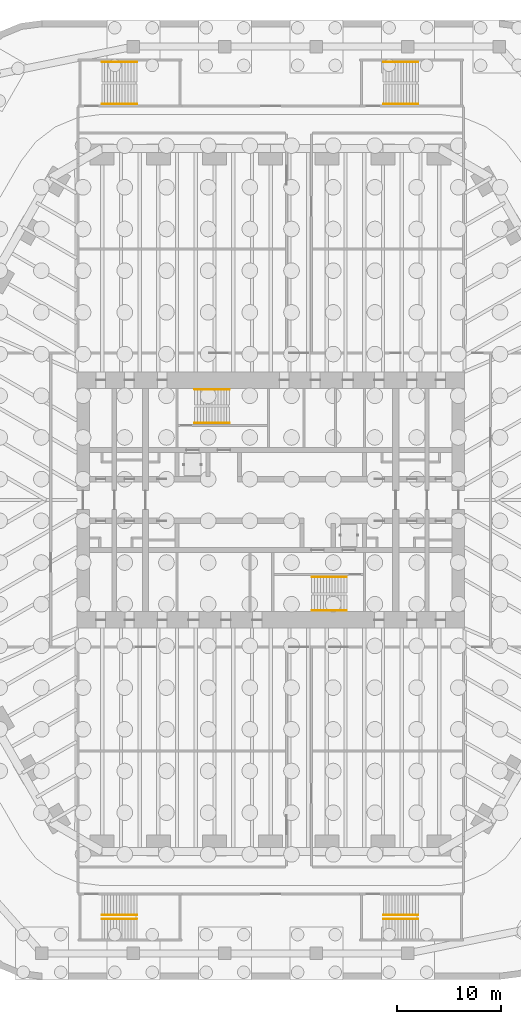
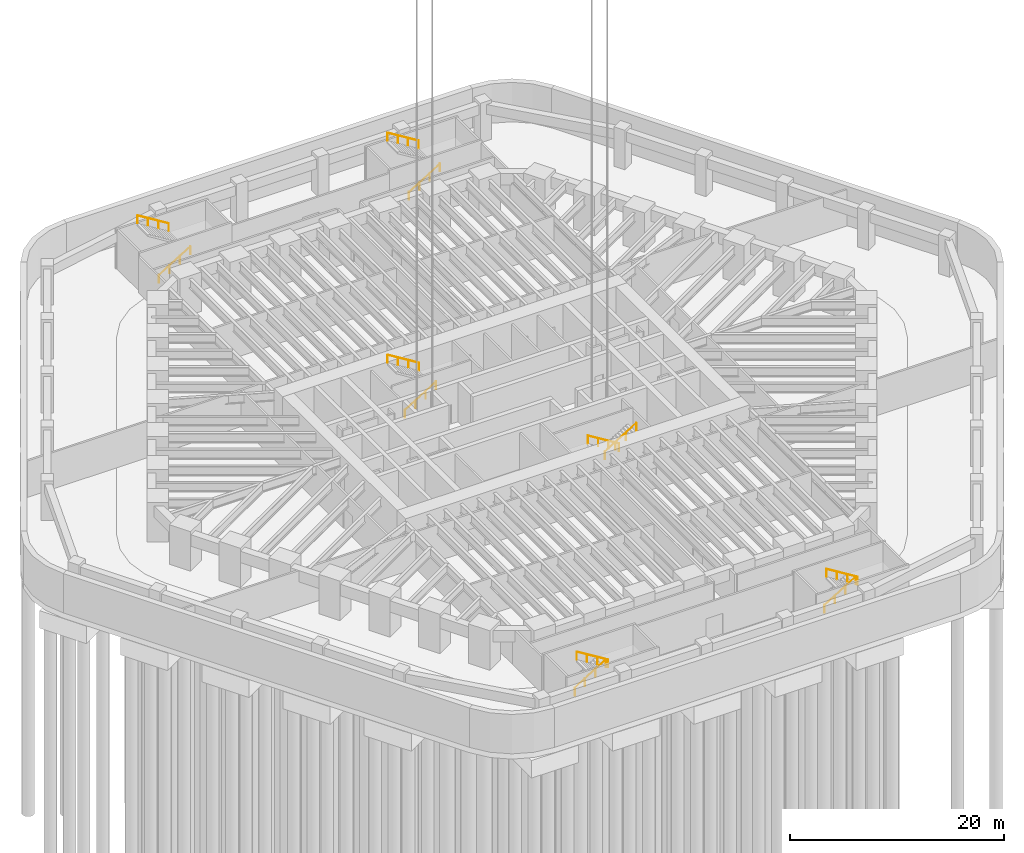
# One storey, part 14 of 17: 12 railings.
"""IFC4 building model written with IfcOpenShell, lengths in metres."""

from ifc_helpers import new_model, si_unit, direction, frame, origin, origin_2d, place, context, subcontext, project, spatial, circle, extrude, material, type_object, element, save


model = new_model("IFC4")

# Units and contexts
model_context = context("Model", 3, precision=1e-05, world=origin(), true_north=direction((0.0, 1.0)))
body_context = subcontext(model_context, "Body", "Model", "MODEL_VIEW")
ifc_project = project(units=[si_unit("LENGTHUNIT", "METRE"), si_unit("AREAUNIT", "SQUARE_METRE"), si_unit("VOLUMEUNIT", "CUBIC_METRE"), si_unit("PLANEANGLEUNIT", "RADIAN"), si_unit("MASSUNIT", "GRAM", prefix="KILO")], contexts=[model_context])

# Site, building, storey
site_placement = place(None, origin())
site = spatial("IfcSite", under=ifc_project, at=site_placement, CompositionType="ELEMENT")
building_placement = place(site_placement, origin())
building = spatial("IfcBuilding", under=site, at=building_placement, Name="Tarfa Lantern Tower", CompositionType="ELEMENT")
storey_placement = place(building_placement, frame((0.0, 0.0, -9.0)))
storey = spatial("IfcBuildingStorey", under=building, at=storey_placement, Name="B2", CompositionType="ELEMENT", Elevation=-9.0)

# Railings
ifc_material = material(Name="Stainless steel", Category="steel")
railing_type = type_object("IfcRailingType", Name="HR1 HANDRAIL 900", PredefinedType="HANDRAIL", material=ifc_material)
railing_1_placement = place(storey_placement, frame((-7.300048828125, 7.3798828125, 0.173095703125)))
element("IfcRailing", 1, at=railing_1_placement, inside=storey, type_object=railing_type, Name="Handrail 1", PredefinedType="HANDRAIL", context=body_context, shape_type="SweptSolid", body=[
    extrude(circle(Radius=0.02392578125, at=origin_2d()), frame((0.0, 0.0, 0.8759765625), z_axis=(0.850623216509, 0.0, 0.525775754039), x_axis=(0.0, 1.0, 0.0)), (0.0, 0.0, 1.0), 3.9501953125),
    extrude(circle(Radius=0.02099609375, at=origin_2d()), frame((0.0, 0.0, 0.0), z_axis=(0.0, 0.0, 1.0), x_axis=(0.0, 1.0, 0.0)), (0.0, 0.0, 1.0), 0.851806640625),
    extrude(circle(Radius=0.02099609375, at=origin_2d()), frame((1.1201171875, 0.0, 0.6923828125), z_axis=(0.0, 0.0, 1.0), x_axis=(0.0, 1.0, 0.0)), (0.0, 0.0, 1.0), 0.851806640625),
    extrude(circle(Radius=0.02099609375, at=origin_2d()), frame((2.239990234375, 0.0, 1.384521484375), z_axis=(0.0, 0.0, 1.0), x_axis=(0.0, 1.0, 0.0)), (0.0, 0.0, 1.0), 0.851806640625),
    extrude(circle(Radius=0.02099609375, at=origin_2d()), frame((3.360107421875, 0.0, 2.076904296875), z_axis=(0.0, 0.0, 1.0), x_axis=(0.0, 1.0, 0.0)), (0.0, 0.0, 1.0), 0.851806640625),
])
for number, where, name in (
    (2, (-3.93994140625, 10.6201171875, 2.423095703125), "Handrail 2"),
    (3, (7.300048828125, -7.3798828125, 0.173095703125), "Handrail 1"),
):
    element("IfcRailing", number, at=place(storey_placement, frame(where)), inside=storey, type_object=railing_type, Name=name, PredefinedType="HANDRAIL", context=body_context, shape_type="SweptSolid", body=[
        extrude(circle(Radius=0.02392578125, at=origin_2d()), frame((0.0, 0.0, 0.8759765625), z_axis=(-0.850623216509, 0.0, 0.525775754039), x_axis=(0.0, -1.0, 0.0)), (0.0, 0.0, 1.0), 3.9501953125),
        extrude(circle(Radius=0.02099609375, at=origin_2d()), frame((0.0, 0.0, 0.0), z_axis=(0.0, 0.0, 1.0), x_axis=(0.0, -1.0, 0.0)), (0.0, 0.0, 1.0), 0.851806640625),
        extrude(circle(Radius=0.02099609375, at=origin_2d()), frame((-1.1201171875, 0.0, 0.6923828125), z_axis=(0.0, 0.0, 1.0), x_axis=(0.0, -1.0, 0.0)), (0.0, 0.0, 1.0), 0.851806640625),
        extrude(circle(Radius=0.02099609375, at=origin_2d()), frame((-2.239990234375, 0.0, 1.384521484375), z_axis=(0.0, 0.0, 1.0), x_axis=(0.0, -1.0, 0.0)), (0.0, 0.0, 1.0), 0.851806640625),
        extrude(circle(Radius=0.02099609375, at=origin_2d()), frame((-3.360107421875, 0.0, 2.076904296875), z_axis=(0.0, 0.0, 1.0), x_axis=(0.0, -1.0, 0.0)), (0.0, 0.0, 1.0), 0.851806640625),
    ])
railing_2_placement = place(storey_placement, frame((3.93994140625, -10.6201171875, 2.423095703125)))
element("IfcRailing", 4, at=railing_2_placement, inside=storey, type_object=railing_type, Name="Handrail 2", PredefinedType="HANDRAIL", context=body_context, shape_type="SweptSolid", body=[
    extrude(circle(Radius=0.02392578125, at=origin_2d()), frame((0.0, 0.0, 0.8759765625), z_axis=(0.850623216509, 0.0, 0.525775754039), x_axis=(0.0, 1.0, 0.0)), (0.0, 0.0, 1.0), 3.9501953125),
    extrude(circle(Radius=0.02099609375, at=origin_2d()), frame((0.0, 0.0, 0.0), z_axis=(0.0, 0.0, 1.0), x_axis=(0.0, 1.0, 0.0)), (0.0, 0.0, 1.0), 0.851806640625),
    extrude(circle(Radius=0.02099609375, at=origin_2d()), frame((1.1201171875, 0.0, 0.6923828125), z_axis=(0.0, 0.0, 1.0), x_axis=(0.0, 1.0, 0.0)), (0.0, 0.0, 1.0), 0.851806640625),
    extrude(circle(Radius=0.02099609375, at=origin_2d()), frame((2.239990234375, 0.0, 1.384521484375), z_axis=(0.0, 0.0, 1.0), x_axis=(0.0, 1.0, 0.0)), (0.0, 0.0, 1.0), 0.851806640625),
    extrude(circle(Radius=0.02099609375, at=origin_2d()), frame((3.360107421875, 0.0, 2.076904296875), z_axis=(0.0, 0.0, 1.0), x_axis=(0.0, 1.0, 0.0)), (0.0, 0.0, 1.0), 0.851806640625),
])
railing_3_placement = place(storey_placement, frame((10.800048828125, 37.97998046875, 0.173095703125)))
element("IfcRailing", 5, at=railing_3_placement, inside=storey, type_object=railing_type, Name="Handrail 1", PredefinedType="HANDRAIL", context=body_context, shape_type="SweptSolid", body=[
    extrude(circle(Radius=0.02392578125, at=origin_2d()), frame((0.0, 0.0, 0.8759765625), z_axis=(0.850606129759, 0.0, 0.525803396734), x_axis=(0.0, 1.0, 0.0)), (0.0, 0.0, 1.0), 3.949951171875),
    extrude(circle(Radius=0.02099609375, at=origin_2d()), frame((0.0, 0.0, 0.0), z_axis=(0.0, 0.0, 1.0), x_axis=(0.0, 1.0, 0.0)), (0.0, 0.0, 1.0), 0.851806640625),
    extrude(circle(Radius=0.02099609375, at=origin_2d()), frame((1.119873046875, 0.0, 0.6923828125), z_axis=(0.0, 0.0, 1.0), x_axis=(0.0, 1.0, 0.0)), (0.0, 0.0, 1.0), 0.851806640625),
    extrude(circle(Radius=0.02099609375, at=origin_2d()), frame((2.239990234375, 0.0, 1.384521484375), z_axis=(0.0, 0.0, 1.0), x_axis=(0.0, 1.0, 0.0)), (0.0, 0.0, 1.0), 0.851806640625),
    extrude(circle(Radius=0.02099609375, at=origin_2d()), frame((3.35986328125, 0.0, 2.076904296875), z_axis=(0.0, 0.0, 1.0), x_axis=(0.0, 1.0, 0.0)), (0.0, 0.0, 1.0), 0.851806640625),
])
railing_4_placement = place(storey_placement, frame((14.159912109375, 42.02001953125, 2.423095703125)))
element("IfcRailing", 6, at=railing_4_placement, inside=storey, type_object=railing_type, Name="Handrail 2", PredefinedType="HANDRAIL", context=body_context, shape_type="SweptSolid", body=[
    extrude(circle(Radius=0.02392578125, at=origin_2d()), frame((0.0, 0.0, 0.8759765625), z_axis=(-0.850606129759, 0.0, 0.525803396734), x_axis=(0.0, -1.0, 0.0)), (0.0, 0.0, 1.0), 3.949951171875),
    extrude(circle(Radius=0.02099609375, at=origin_2d()), frame((0.0, 0.0, 0.0), z_axis=(0.0, 0.0, 1.0), x_axis=(0.0, -1.0, 0.0)), (0.0, 0.0, 1.0), 0.851806640625),
    extrude(circle(Radius=0.02099609375, at=origin_2d()), frame((-1.119873046875, 0.0, 0.6923828125), z_axis=(0.0, 0.0, 1.0), x_axis=(0.0, -1.0, 0.0)), (0.0, 0.0, 1.0), 0.851806640625),
    extrude(circle(Radius=0.02099609375, at=origin_2d()), frame((-2.239990234375, 0.0, 1.384521484375), z_axis=(0.0, 0.0, 1.0), x_axis=(0.0, -1.0, 0.0)), (0.0, 0.0, 1.0), 0.851806640625),
    extrude(circle(Radius=0.02099609375, at=origin_2d()), frame((-3.35986328125, 0.0, 2.076904296875), z_axis=(0.0, 0.0, 1.0), x_axis=(0.0, -1.0, 0.0)), (0.0, 0.0, 1.0), 0.851806640625),
])
railing_5_placement = place(storey_placement, frame((-16.199951171875, 37.97998046875, 0.173095703125)))
element("IfcRailing", 7, at=railing_5_placement, inside=storey, type_object=railing_type, Name="Handrail 1", PredefinedType="HANDRAIL", context=body_context, shape_type="SweptSolid", body=[
    extrude(circle(Radius=0.02392578125, at=origin_2d()), frame((0.0, 0.0, 0.8759765625), z_axis=(0.850606129759, 0.0, 0.525803396734), x_axis=(0.0, 1.0, 0.0)), (0.0, 0.0, 1.0), 3.949951171875),
    extrude(circle(Radius=0.02099609375, at=origin_2d()), frame((0.0, 0.0, 0.0), z_axis=(0.0, 0.0, 1.0), x_axis=(0.0, 1.0, 0.0)), (0.0, 0.0, 1.0), 0.851806640625),
    extrude(circle(Radius=0.02099609375, at=origin_2d()), frame((1.119873046875, 0.0, 0.6923828125), z_axis=(0.0, 0.0, 1.0), x_axis=(0.0, 1.0, 0.0)), (0.0, 0.0, 1.0), 0.851806640625),
    extrude(circle(Radius=0.02099609375, at=origin_2d()), frame((2.239990234375, 0.0, 1.384521484375), z_axis=(0.0, 0.0, 1.0), x_axis=(0.0, 1.0, 0.0)), (0.0, 0.0, 1.0), 0.851806640625),
    extrude(circle(Radius=0.02099609375, at=origin_2d()), frame((3.35986328125, 0.0, 2.076904296875), z_axis=(0.0, 0.0, 1.0), x_axis=(0.0, 1.0, 0.0)), (0.0, 0.0, 1.0), 0.851806640625),
])
railing_6_placement = place(storey_placement, frame((-12.840087890625, 42.02001953125, 2.423095703125)))
element("IfcRailing", 8, at=railing_6_placement, inside=storey, type_object=railing_type, Name="Handrail 2", PredefinedType="HANDRAIL", context=body_context, shape_type="SweptSolid", body=[
    extrude(circle(Radius=0.02392578125, at=origin_2d()), frame((0.0, 0.0, 0.8759765625), z_axis=(-0.850606129759, 0.0, 0.525803396734), x_axis=(0.0, -1.0, 0.0)), (0.0, 0.0, 1.0), 3.949951171875),
    extrude(circle(Radius=0.02099609375, at=origin_2d()), frame((0.0, 0.0, 0.0), z_axis=(0.0, 0.0, 1.0), x_axis=(0.0, -1.0, 0.0)), (0.0, 0.0, 1.0), 0.851806640625),
    extrude(circle(Radius=0.02099609375, at=origin_2d()), frame((-1.119873046875, 0.0, 0.6923828125), z_axis=(0.0, 0.0, 1.0), x_axis=(0.0, -1.0, 0.0)), (0.0, 0.0, 1.0), 0.851806640625),
    extrude(circle(Radius=0.02099609375, at=origin_2d()), frame((-2.239990234375, 0.0, 1.384521484375), z_axis=(0.0, 0.0, 1.0), x_axis=(0.0, -1.0, 0.0)), (0.0, 0.0, 1.0), 0.851806640625),
    extrude(circle(Radius=0.02099609375, at=origin_2d()), frame((-3.35986328125, 0.0, 2.076904296875), z_axis=(0.0, 0.0, 1.0), x_axis=(0.0, -1.0, 0.0)), (0.0, 0.0, 1.0), 0.851806640625),
])
railing_7_placement = place(storey_placement, frame((-16.199951171875, -39.820068359375, 0.173095703125)))
element("IfcRailing", 9, at=railing_7_placement, inside=storey, type_object=railing_type, Name="Handrail 1", PredefinedType="HANDRAIL", context=body_context, shape_type="SweptSolid", body=[
    extrude(circle(Radius=0.02392578125, at=origin_2d()), frame((0.0, 0.0, 0.8759765625), z_axis=(0.850606129759, 0.0, 0.525803396734), x_axis=(0.0, 1.0, 0.0)), (0.0, 0.0, 1.0), 3.949951171875),
    extrude(circle(Radius=0.02099609375, at=origin_2d()), frame((0.0, 0.0, 0.0), z_axis=(0.0, 0.0, 1.0), x_axis=(0.0, 1.0, 0.0)), (0.0, 0.0, 1.0), 0.851806640625),
    extrude(circle(Radius=0.02099609375, at=origin_2d()), frame((1.119873046875, 0.0, 0.6923828125), z_axis=(0.0, 0.0, 1.0), x_axis=(0.0, 1.0, 0.0)), (0.0, 0.0, 1.0), 0.851806640625),
    extrude(circle(Radius=0.02099609375, at=origin_2d()), frame((2.239990234375, 0.0, 1.384521484375), z_axis=(0.0, 0.0, 1.0), x_axis=(0.0, 1.0, 0.0)), (0.0, 0.0, 1.0), 0.851806640625),
    extrude(circle(Radius=0.02099609375, at=origin_2d()), frame((3.35986328125, 0.0, 2.076904296875), z_axis=(0.0, 0.0, 1.0), x_axis=(0.0, 1.0, 0.0)), (0.0, 0.0, 1.0), 0.851806640625),
])
railing_8_placement = place(storey_placement, frame((-12.840087890625, -40.179931640625, 2.423095703125)))
element("IfcRailing", 10, at=railing_8_placement, inside=storey, type_object=railing_type, Name="Handrail 2", PredefinedType="HANDRAIL", context=body_context, shape_type="SweptSolid", body=[
    extrude(circle(Radius=0.02392578125, at=origin_2d()), frame((0.0, 0.0, 0.8759765625), z_axis=(-0.850606129759, 0.0, 0.525803396734), x_axis=(0.0, -1.0, 0.0)), (0.0, 0.0, 1.0), 3.949951171875),
    extrude(circle(Radius=0.02099609375, at=origin_2d()), frame((0.0, 0.0, 0.0), z_axis=(0.0, 0.0, 1.0), x_axis=(0.0, -1.0, 0.0)), (0.0, 0.0, 1.0), 0.851806640625),
    extrude(circle(Radius=0.02099609375, at=origin_2d()), frame((-1.119873046875, 0.0, 0.6923828125), z_axis=(0.0, 0.0, 1.0), x_axis=(0.0, -1.0, 0.0)), (0.0, 0.0, 1.0), 0.851806640625),
    extrude(circle(Radius=0.02099609375, at=origin_2d()), frame((-2.239990234375, 0.0, 1.384521484375), z_axis=(0.0, 0.0, 1.0), x_axis=(0.0, -1.0, 0.0)), (0.0, 0.0, 1.0), 0.851806640625),
    extrude(circle(Radius=0.02099609375, at=origin_2d()), frame((-3.35986328125, 0.0, 2.076904296875), z_axis=(0.0, 0.0, 1.0), x_axis=(0.0, -1.0, 0.0)), (0.0, 0.0, 1.0), 0.851806640625),
])
railing_9_placement = place(storey_placement, frame((10.800048828125, -39.820068359375, 0.173095703125)))
element("IfcRailing", 11, at=railing_9_placement, inside=storey, type_object=railing_type, Name="Handrail 1", PredefinedType="HANDRAIL", context=body_context, shape_type="SweptSolid", body=[
    extrude(circle(Radius=0.02392578125, at=origin_2d()), frame((0.0, 0.0, 0.8759765625), z_axis=(0.850606129759, 0.0, 0.525803396734), x_axis=(0.0, 1.0, 0.0)), (0.0, 0.0, 1.0), 3.949951171875),
    extrude(circle(Radius=0.02099609375, at=origin_2d()), frame((0.0, 0.0, 0.0), z_axis=(0.0, 0.0, 1.0), x_axis=(0.0, 1.0, 0.0)), (0.0, 0.0, 1.0), 0.851806640625),
    extrude(circle(Radius=0.02099609375, at=origin_2d()), frame((1.119873046875, 0.0, 0.6923828125), z_axis=(0.0, 0.0, 1.0), x_axis=(0.0, 1.0, 0.0)), (0.0, 0.0, 1.0), 0.851806640625),
    extrude(circle(Radius=0.02099609375, at=origin_2d()), frame((2.239990234375, 0.0, 1.384521484375), z_axis=(0.0, 0.0, 1.0), x_axis=(0.0, 1.0, 0.0)), (0.0, 0.0, 1.0), 0.851806640625),
    extrude(circle(Radius=0.02099609375, at=origin_2d()), frame((3.35986328125, 0.0, 2.076904296875), z_axis=(0.0, 0.0, 1.0), x_axis=(0.0, 1.0, 0.0)), (0.0, 0.0, 1.0), 0.851806640625),
])
railing_10_placement = place(storey_placement, frame((14.159912109375, -40.179931640625, 2.423095703125)))
element("IfcRailing", 12, at=railing_10_placement, inside=storey, type_object=railing_type, Name="Handrail 2", PredefinedType="HANDRAIL", context=body_context, shape_type="SweptSolid", body=[
    extrude(circle(Radius=0.02392578125, at=origin_2d()), frame((0.0, 0.0, 0.8759765625), z_axis=(-0.850606129759, 0.0, 0.525803396734), x_axis=(0.0, -1.0, 0.0)), (0.0, 0.0, 1.0), 3.949951171875),
    extrude(circle(Radius=0.02099609375, at=origin_2d()), frame((0.0, 0.0, 0.0), z_axis=(0.0, 0.0, 1.0), x_axis=(0.0, -1.0, 0.0)), (0.0, 0.0, 1.0), 0.851806640625),
    extrude(circle(Radius=0.02099609375, at=origin_2d()), frame((-1.119873046875, 0.0, 0.6923828125), z_axis=(0.0, 0.0, 1.0), x_axis=(0.0, -1.0, 0.0)), (0.0, 0.0, 1.0), 0.851806640625),
    extrude(circle(Radius=0.02099609375, at=origin_2d()), frame((-2.239990234375, 0.0, 1.384521484375), z_axis=(0.0, 0.0, 1.0), x_axis=(0.0, -1.0, 0.0)), (0.0, 0.0, 1.0), 0.851806640625),
    extrude(circle(Radius=0.02099609375, at=origin_2d()), frame((-3.35986328125, 0.0, 2.076904296875), z_axis=(0.0, 0.0, 1.0), x_axis=(0.0, -1.0, 0.0)), (0.0, 0.0, 1.0), 0.851806640625),
])

save(model, "model.ifc")
